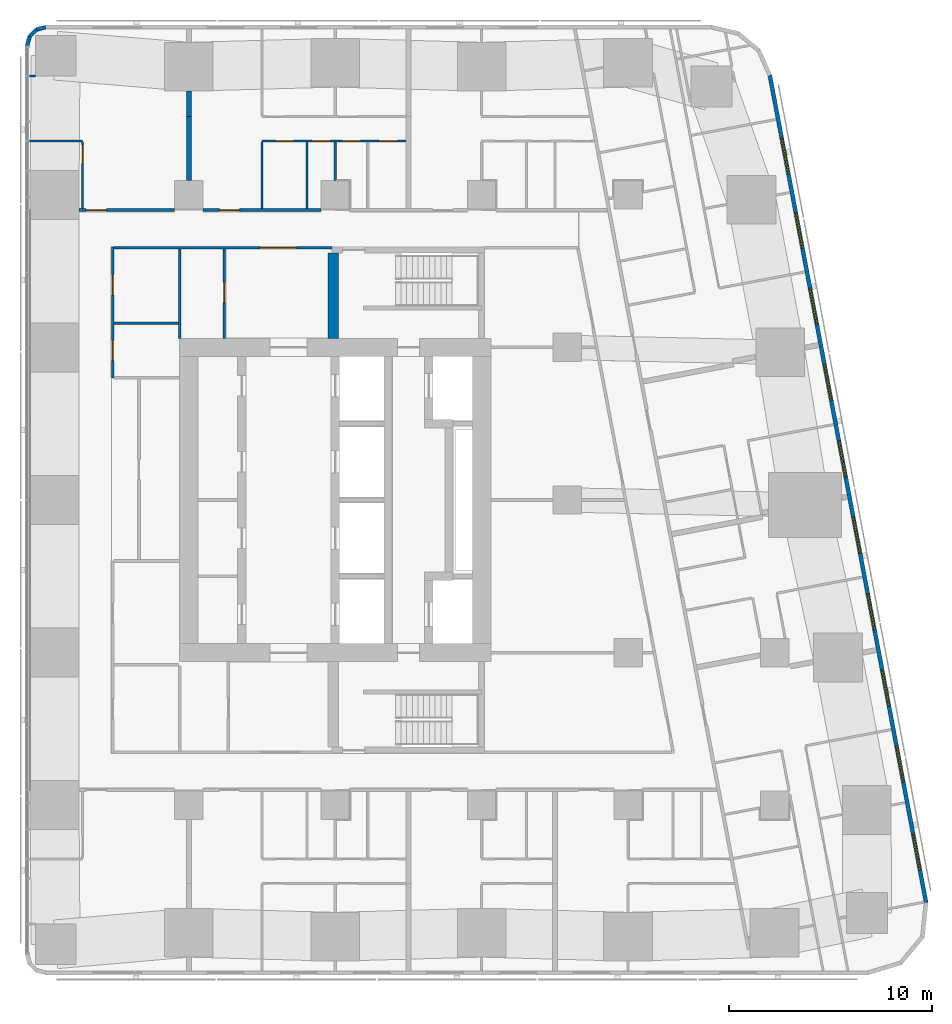
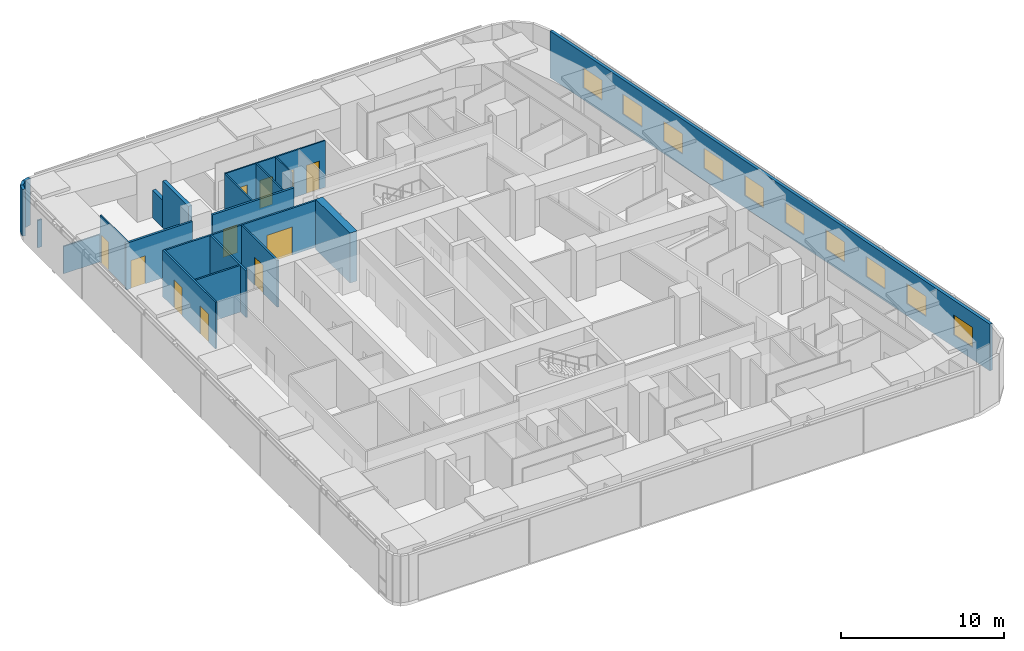
# One storey, part 15 of 19: 21 walls, 11 doors, 10 windows, 21 openings.
"""IFC4 building model written with IfcOpenShell, lengths in metres."""

from ifc_helpers import new_model, si_unit, direction, frame, frame_2d, origin, place, context, subcontext, project, spatial, rectangle, extrude, material, layer, layer_set, type_object, element, fill, save


model = new_model("IFC4")

# Units and contexts
model_context = context("Model", 3, precision=1e-05, world=origin(), true_north=direction((0.0, 1.0)))
body_context = subcontext(model_context, "Body", "Model", "MODEL_VIEW")
ifc_project = project(units=[si_unit("LENGTHUNIT", "METRE"), si_unit("AREAUNIT", "SQUARE_METRE"), si_unit("VOLUMEUNIT", "CUBIC_METRE"), si_unit("PLANEANGLEUNIT", "RADIAN"), si_unit("MASSUNIT", "GRAM", prefix="KILO")], contexts=[model_context])

# Site, building, storey
site_placement = place(None, origin())
site = spatial("IfcSite", under=ifc_project, at=site_placement, CompositionType="ELEMENT")
building_placement = place(site_placement, origin())
building = spatial("IfcBuilding", under=site, at=building_placement, Name="Sheger Commons Tower", CompositionType="ELEMENT")
storey_placement = place(building_placement, frame((0.0, 0.0, 219.949951171875)))
storey = spatial("IfcBuildingStorey", under=building, at=storey_placement, Name="L56", CompositionType="ELEMENT", Elevation=219.949951171875)

# Wall, opening, door
ifc_material_1 = material(Name="Hollow concrete block masonry, skimmed both sides", Category="masonry")
ifc_layer_1 = layer(ifc_material_1, 0.14990234375)
ifc_layer_set_1 = layer_set([ifc_layer_1], Name="CORRIDOR WALL 150")
wall_type_1 = type_object("IfcWallType", Name="CORRIDOR WALL 150", PredefinedType="SOLIDWALL", material=ifc_layer_set_1)
wall_1_placement = place(storey_placement, frame((9.0009765625, 36.75, 0.0), z_axis=(0.0, 0.0, 1.0), x_axis=(1.0, 0.0, 0.0)))
wall_1 = element("IfcWall", 1, at=wall_1_placement, inside=storey, type_object=wall_type_1, Name="Corridor wall L56", PredefinedType="SOLIDWALL", context=body_context, shape_type="SweptSolid", body=[
    extrude(rectangle(XDim=4.697998046875, YDim=0.14990234375, at=frame_2d((2.34912109375, 0.0))), origin(), (0.0, 0.0, 1.0), 3.5),
])
opening_1_placement = place(wall_1_placement, frame((0.35302734375, 0.0, 0.0)))
opening_1 = element("IfcOpeningElement", 2, at=opening_1_placement, cuts=wall_1, Name="Opening D1", PredefinedType="OPENING", context=body_context, shape_type="SweptSolid", body=[
    extrude(rectangle(XDim=1.0, YDim=2.10009765625, at=frame_2d((0.5, 1.050048828125))), frame((0.0, 0.0849609375, 0.0), z_axis=(0.0, -1.0, 0.0), x_axis=(1.0, 0.0, 0.0)), (0.0, 0.0, 1.0), 0.169921875),
])
ifc_material_2 = material(Name="Steel door set, fire rated", Category="steel")
door_type_1 = type_object("IfcDoorType", Name="FLAT ENTRANCE DOOR 1000x2100", OperationType="NOTDEFINED", PredefinedType="DOOR", material=ifc_material_2)
door_1_placement = place(opening_1_placement, origin())
door_1 = element("IfcDoor", 3, at=door_1_placement, inside=storey, type_object=door_type_1, Name="Flat entrance door", OperationType="SINGLE_SWING_LEFT", OverallHeight=2.10009765625, OverallWidth=1.0, PredefinedType="DOOR", context=body_context, shape_type="SweptSolid", body=[
    extrude(rectangle(XDim=1.0, YDim=2.10009765625, at=frame_2d((0.5, 1.050048828125))), frame((0.0, 0.02490234375, 0.0), z_axis=(0.0, -1.0, 0.0), x_axis=(1.0, 0.0, 0.0)), (0.0, 0.0, 1.0), 0.050048828125),
])
fill(opening_1, door_1)

wall_2_placement = place(storey_placement, frame((15.10107421875, 36.75, 0.0), z_axis=(0.0, 0.0, 1.0), x_axis=(1.0, 0.0, 0.0)))
wall_2 = element("IfcWall", 4, at=wall_2_placement, inside=storey, type_object=wall_type_1, Name="Corridor wall L56", PredefinedType="SOLIDWALL", context=body_context, shape_type="SweptSolid", body=[
    extrude(rectangle(XDim=5.7978515625, YDim=0.14990234375, at=frame_2d((2.89892578125, 0.0))), origin(), (0.0, 0.0, 1.0), 3.5),
])
opening_2_placement = place(wall_2_placement, frame((0.799072265625, 0.0, 0.0)))
opening_2 = element("IfcOpeningElement", 5, at=opening_2_placement, cuts=wall_2, Name="Opening D1", PredefinedType="OPENING", context=body_context, shape_type="SweptSolid", body=[
    extrude(rectangle(XDim=1.0, YDim=2.10009765625, at=frame_2d((0.5, 1.050048828125))), frame((0.0, 0.0849609375, 0.0), z_axis=(0.0, -1.0, 0.0), x_axis=(1.0, 0.0, 0.0)), (0.0, 0.0, 1.0), 0.169921875),
])
door_2_placement = place(opening_2_placement, origin())
door_2 = element("IfcDoor", 6, at=door_2_placement, inside=storey, type_object=door_type_1, Name="Flat entrance door", OperationType="SINGLE_SWING_LEFT", OverallHeight=2.10009765625, OverallWidth=1.0, PredefinedType="DOOR", context=body_context, shape_type="SweptSolid", body=[
    extrude(rectangle(XDim=1.0, YDim=2.10009765625, at=frame_2d((0.5, 1.050048828125))), frame((0.0, 0.02490234375, 0.0), z_axis=(0.0, -1.0, 0.0), x_axis=(1.0, 0.0, 0.0)), (0.0, 0.0, 1.0), 0.050048828125),
])
fill(opening_2, door_2)

# Walls
ifc_material_3 = material(Name="Dense concrete block masonry, plastered both sides (separating wall between flats)", Category="masonry")
ifc_layer_2 = layer(ifc_material_3, 0.25)
ifc_layer_set_2 = layer_set([ifc_layer_2], Name="DEMISING WALL 250")
wall_type_2 = type_object("IfcWallType", Name="DEMISING WALL 250", PredefinedType="SOLIDWALL", material=ifc_layer_set_2)
wall_3_placement = place(storey_placement, frame((14.39990234375, 41.35009765625, 0.0), z_axis=(0.0, 0.0, 1.0), x_axis=(0.0, 1.0, 0.0)))
element("IfcWall", 7, at=wall_3_placement, inside=storey, type_object=wall_type_2, Name="Demising wall L56", PredefinedType="SOLIDWALL", context=body_context, shape_type="SweptSolid", body=[
    extrude(rectangle(XDim=1.2490234375, YDim=0.25, at=frame_2d((0.62451171875, 0.0))), origin(), (0.0, 0.0, 1.0), 2.050048828125),
])
wall_4_placement = place(storey_placement, frame((14.39990234375, 38.200927734375, 0.0), z_axis=(0.0, 0.0, 1.0), x_axis=(0.0, 1.0, 0.0)))
element("IfcWall", 8, at=wall_4_placement, inside=storey, type_object=wall_type_2, Name="Demising wall L56", PredefinedType="SOLIDWALL", context=body_context, shape_type="SweptSolid", body=[
    extrude(rectangle(XDim=3.149169921875, YDim=0.25, at=frame_2d((1.57470703125, 0.0))), origin(), (0.0, 0.0, 1.0), 3.5),
])

# Wall, openings, windows
ifc_material_4 = material(Name="Rendered concrete block masonry, dark grey", Category="masonry")
ifc_layer_3 = layer(ifc_material_4, 0.199951171875)
ifc_layer_set_3 = layer_set([ifc_layer_3], Name="FACADE WALL 200")
wall_type_3 = type_object("IfcWallType", Name="FACADE WALL 200", PredefinedType="SOLIDWALL", material=ifc_layer_set_3)
wall_5_placement = place(storey_placement, frame((50.653076171875, 2.702880859375, 0.0), z_axis=(0.0, 0.0, 1.0), x_axis=(-0.185612026696, 0.982623109613, 0.0)))
wall_5 = element("IfcWall", 9, at=wall_5_placement, inside=storey, type_object=wall_type_3, Name="Facade wall L56", PredefinedType="SOLIDWALL", context=body_context, shape_type="SweptSolid", body=[
    extrude(rectangle(XDim=41.393310546875, YDim=0.199951171875, at=frame_2d((20.69677734375, 0.0))), origin(), (0.0, 0.0, 1.0), 3.5),
])
opening_3_placement = place(wall_5_placement, frame((1.633056640625, 0.0, 0.89990234375)))
opening_3 = element("IfcOpeningElement", 10, at=opening_3_placement, cuts=wall_5, Name="Opening W2", PredefinedType="OPENING", context=body_context, shape_type="SweptSolid", body=[
    extrude(rectangle(XDim=1.800048828125, YDim=1.5, at=frame_2d((0.89990234375, 0.75))), frame((0.0, 0.10986328125, 0.0), z_axis=(0.0, -1.0, 0.0), x_axis=(1.0, 0.0, 0.0)), (0.0, 0.0, 1.0), 0.219970703125),
])
opening_4_placement = place(wall_5_placement, frame((6.031982421875, 0.0, 0.89990234375)))
opening_4 = element("IfcOpeningElement", 11, at=opening_4_placement, cuts=wall_5, Name="Opening W2", PredefinedType="OPENING", context=body_context, shape_type="SweptSolid", body=[
    extrude(rectangle(XDim=1.800048828125, YDim=1.5, at=frame_2d((0.89990234375, 0.75))), frame((0.0, 0.10986328125, 0.0), z_axis=(0.0, -1.0, 0.0), x_axis=(1.0, 0.0, 0.0)), (0.0, 0.0, 1.0), 0.219970703125),
])
opening_5_placement = place(wall_5_placement, frame((9.847900390625, 0.0, 0.89990234375)))
opening_5 = element("IfcOpeningElement", 12, at=opening_5_placement, cuts=wall_5, Name="Opening W2", PredefinedType="OPENING", context=body_context, shape_type="SweptSolid", body=[
    extrude(rectangle(XDim=1.800048828125, YDim=1.5, at=frame_2d((0.89990234375, 0.75))), frame((0.0, 0.10986328125, 0.0), z_axis=(0.0, -1.0, 0.0), x_axis=(1.0, 0.0, 0.0)), (0.0, 0.0, 1.0), 0.219970703125),
])
opening_6_placement = place(wall_5_placement, frame((13.6640625, 0.0, 0.89990234375)))
opening_6 = element("IfcOpeningElement", 13, at=opening_6_placement, cuts=wall_5, Name="Opening W2", PredefinedType="OPENING", context=body_context, shape_type="SweptSolid", body=[
    extrude(rectangle(XDim=1.800048828125, YDim=1.5, at=frame_2d((0.89990234375, 0.75))), frame((0.0, 0.10986328125, 0.0), z_axis=(0.0, -1.0, 0.0), x_axis=(1.0, 0.0, 0.0)), (0.0, 0.0, 1.0), 0.219970703125),
])
opening_7_placement = place(wall_5_placement, frame((17.48095703125, 0.0, 0.89990234375)))
opening_7 = element("IfcOpeningElement", 14, at=opening_7_placement, cuts=wall_5, Name="Opening W2", PredefinedType="OPENING", context=body_context, shape_type="SweptSolid", body=[
    extrude(rectangle(XDim=1.800048828125, YDim=1.5, at=frame_2d((0.89990234375, 0.75))), frame((0.0, 0.10986328125, 0.0), z_axis=(0.0, -1.0, 0.0), x_axis=(1.0, 0.0, 0.0)), (0.0, 0.0, 1.0), 0.219970703125),
])
opening_8_placement = place(wall_5_placement, frame((21.297119140625, 0.0, 0.89990234375)))
opening_8 = element("IfcOpeningElement", 15, at=opening_8_placement, cuts=wall_5, Name="Opening W2", PredefinedType="OPENING", context=body_context, shape_type="SweptSolid", body=[
    extrude(rectangle(XDim=1.800048828125, YDim=1.5, at=frame_2d((0.89990234375, 0.75))), frame((0.0, 0.10986328125, 0.0), z_axis=(0.0, -1.0, 0.0), x_axis=(1.0, 0.0, 0.0)), (0.0, 0.0, 1.0), 0.219970703125),
])
opening_9_placement = place(wall_5_placement, frame((25.113037109375, 0.0, 0.89990234375)))
opening_9 = element("IfcOpeningElement", 16, at=opening_9_placement, cuts=wall_5, Name="Opening W2", PredefinedType="OPENING", context=body_context, shape_type="SweptSolid", body=[
    extrude(rectangle(XDim=1.800048828125, YDim=1.5, at=frame_2d((0.89990234375, 0.75))), frame((0.0, 0.10986328125, 0.0), z_axis=(0.0, -1.0, 0.0), x_axis=(1.0, 0.0, 0.0)), (0.0, 0.0, 1.0), 0.219970703125),
])
opening_10_placement = place(wall_5_placement, frame((28.929931640625, 0.0, 0.89990234375)))
opening_10 = element("IfcOpeningElement", 17, at=opening_10_placement, cuts=wall_5, Name="Opening W2", PredefinedType="OPENING", context=body_context, shape_type="SweptSolid", body=[
    extrude(rectangle(XDim=1.800048828125, YDim=1.5, at=frame_2d((0.89990234375, 0.75))), frame((0.0, 0.10986328125, 0.0), z_axis=(0.0, -1.0, 0.0), x_axis=(1.0, 0.0, 0.0)), (0.0, 0.0, 1.0), 0.219970703125),
])
opening_11_placement = place(wall_5_placement, frame((32.74609375, 0.0, 0.89990234375)))
opening_11 = element("IfcOpeningElement", 18, at=opening_11_placement, cuts=wall_5, Name="Opening W2", PredefinedType="OPENING", context=body_context, shape_type="SweptSolid", body=[
    extrude(rectangle(XDim=1.800048828125, YDim=1.5, at=frame_2d((0.89990234375, 0.75))), frame((0.0, 0.10986328125, 0.0), z_axis=(0.0, -1.0, 0.0), x_axis=(1.0, 0.0, 0.0)), (0.0, 0.0, 1.0), 0.219970703125),
])
opening_12_placement = place(wall_5_placement, frame((36.48095703125, 0.0, 0.89990234375)))
opening_12 = element("IfcOpeningElement", 19, at=opening_12_placement, cuts=wall_5, Name="Opening W2", PredefinedType="OPENING", context=body_context, shape_type="SweptSolid", body=[
    extrude(rectangle(XDim=1.800048828125, YDim=1.5, at=frame_2d((0.89990234375, 0.75))), frame((0.0, 0.10986328125, 0.0), z_axis=(0.0, -1.0, 0.0), x_axis=(1.0, 0.0, 0.0)), (0.0, 0.0, 1.0), 0.219970703125),
])
ifc_material_5 = material(Name="Black aluminium frame, dark tinted double glazing", Category="aluminium")
window_type = type_object("IfcWindowType", Name="WINDOW W2 1800x1500", PartitioningType="SINGLE_PANEL", PredefinedType="WINDOW", material=ifc_material_5)
window_1_placement = place(opening_3_placement, origin())
window_1 = element("IfcWindow", 20, at=window_1_placement, inside=storey, type_object=window_type, Name="Window W2 1800X1500", OverallHeight=1.5, OverallWidth=1.800048828125, PartitioningType="SINGLE_PANEL", PredefinedType="WINDOW", context=body_context, shape_type="SweptSolid", body=[
    extrude(rectangle(XDim=1.800048828125, YDim=1.5, at=frame_2d((0.89990234375, 0.75))), frame((0.0, 0.030029296875, 0.0), z_axis=(0.0, -1.0, 0.0), x_axis=(1.0, 0.0, 0.0)), (0.0, 0.0, 1.0), 0.06005859375),
])
fill(opening_3, window_1)
window_2_placement = place(opening_4_placement, origin())
window_2 = element("IfcWindow", 21, at=window_2_placement, inside=storey, type_object=window_type, Name="Window W2 1800X1500", OverallHeight=1.5, OverallWidth=1.800048828125, PartitioningType="SINGLE_PANEL", PredefinedType="WINDOW", context=body_context, shape_type="SweptSolid", body=[
    extrude(rectangle(XDim=1.800048828125, YDim=1.5, at=frame_2d((0.89990234375, 0.75))), frame((0.0, 0.030029296875, 0.0), z_axis=(0.0, -1.0, 0.0), x_axis=(1.0, 0.0, 0.0)), (0.0, 0.0, 1.0), 0.06005859375),
])
fill(opening_4, window_2)
window_3_placement = place(opening_5_placement, origin())
window_3 = element("IfcWindow", 22, at=window_3_placement, inside=storey, type_object=window_type, Name="Window W2 1800X1500", OverallHeight=1.5, OverallWidth=1.800048828125, PartitioningType="SINGLE_PANEL", PredefinedType="WINDOW", context=body_context, shape_type="SweptSolid", body=[
    extrude(rectangle(XDim=1.800048828125, YDim=1.5, at=frame_2d((0.89990234375, 0.75))), frame((0.0, 0.030029296875, 0.0), z_axis=(0.0, -1.0, 0.0), x_axis=(1.0, 0.0, 0.0)), (0.0, 0.0, 1.0), 0.06005859375),
])
fill(opening_5, window_3)
window_4_placement = place(opening_6_placement, origin())
window_4 = element("IfcWindow", 23, at=window_4_placement, inside=storey, type_object=window_type, Name="Window W2 1800X1500", OverallHeight=1.5, OverallWidth=1.800048828125, PartitioningType="SINGLE_PANEL", PredefinedType="WINDOW", context=body_context, shape_type="SweptSolid", body=[
    extrude(rectangle(XDim=1.800048828125, YDim=1.5, at=frame_2d((0.89990234375, 0.75))), frame((0.0, 0.030029296875, 0.0), z_axis=(0.0, -1.0, 0.0), x_axis=(1.0, 0.0, 0.0)), (0.0, 0.0, 1.0), 0.06005859375),
])
fill(opening_6, window_4)
window_5_placement = place(opening_7_placement, origin())
window_5 = element("IfcWindow", 24, at=window_5_placement, inside=storey, type_object=window_type, Name="Window W2 1800X1500", OverallHeight=1.5, OverallWidth=1.800048828125, PartitioningType="SINGLE_PANEL", PredefinedType="WINDOW", context=body_context, shape_type="SweptSolid", body=[
    extrude(rectangle(XDim=1.800048828125, YDim=1.5, at=frame_2d((0.89990234375, 0.75))), frame((0.0, 0.030029296875, 0.0), z_axis=(0.0, -1.0, 0.0), x_axis=(1.0, 0.0, 0.0)), (0.0, 0.0, 1.0), 0.06005859375),
])
fill(opening_7, window_5)
window_6_placement = place(opening_8_placement, origin())
window_6 = element("IfcWindow", 25, at=window_6_placement, inside=storey, type_object=window_type, Name="Window W2 1800X1500", OverallHeight=1.5, OverallWidth=1.800048828125, PartitioningType="SINGLE_PANEL", PredefinedType="WINDOW", context=body_context, shape_type="SweptSolid", body=[
    extrude(rectangle(XDim=1.800048828125, YDim=1.5, at=frame_2d((0.89990234375, 0.75))), frame((0.0, 0.030029296875, 0.0), z_axis=(0.0, -1.0, 0.0), x_axis=(1.0, 0.0, 0.0)), (0.0, 0.0, 1.0), 0.06005859375),
])
fill(opening_8, window_6)
window_7_placement = place(opening_9_placement, origin())
window_7 = element("IfcWindow", 26, at=window_7_placement, inside=storey, type_object=window_type, Name="Window W2 1800X1500", OverallHeight=1.5, OverallWidth=1.800048828125, PartitioningType="SINGLE_PANEL", PredefinedType="WINDOW", context=body_context, shape_type="SweptSolid", body=[
    extrude(rectangle(XDim=1.800048828125, YDim=1.5, at=frame_2d((0.89990234375, 0.75))), frame((0.0, 0.030029296875, 0.0), z_axis=(0.0, -1.0, 0.0), x_axis=(1.0, 0.0, 0.0)), (0.0, 0.0, 1.0), 0.06005859375),
])
fill(opening_9, window_7)
window_8_placement = place(opening_10_placement, origin())
window_8 = element("IfcWindow", 27, at=window_8_placement, inside=storey, type_object=window_type, Name="Window W2 1800X1500", OverallHeight=1.5, OverallWidth=1.800048828125, PartitioningType="SINGLE_PANEL", PredefinedType="WINDOW", context=body_context, shape_type="SweptSolid", body=[
    extrude(rectangle(XDim=1.800048828125, YDim=1.5, at=frame_2d((0.89990234375, 0.75))), frame((0.0, 0.030029296875, 0.0), z_axis=(0.0, -1.0, 0.0), x_axis=(1.0, 0.0, 0.0)), (0.0, 0.0, 1.0), 0.06005859375),
])
fill(opening_10, window_8)
window_9_placement = place(opening_11_placement, origin())
window_9 = element("IfcWindow", 28, at=window_9_placement, inside=storey, type_object=window_type, Name="Window W2 1800X1500", OverallHeight=1.5, OverallWidth=1.800048828125, PartitioningType="SINGLE_PANEL", PredefinedType="WINDOW", context=body_context, shape_type="SweptSolid", body=[
    extrude(rectangle(XDim=1.800048828125, YDim=1.5, at=frame_2d((0.89990234375, 0.75))), frame((0.0, 0.030029296875, 0.0), z_axis=(0.0, -1.0, 0.0), x_axis=(1.0, 0.0, 0.0)), (0.0, 0.0, 1.0), 0.06005859375),
])
fill(opening_11, window_9)
window_10_placement = place(opening_12_placement, origin())
window_10 = element("IfcWindow", 29, at=window_10_placement, inside=storey, type_object=window_type, Name="Window W2 1800X1500", OverallHeight=1.5, OverallWidth=1.800048828125, PartitioningType="SINGLE_PANEL", PredefinedType="WINDOW", context=body_context, shape_type="SweptSolid", body=[
    extrude(rectangle(XDim=1.800048828125, YDim=1.5, at=frame_2d((0.89990234375, 0.75))), frame((0.0, 0.030029296875, 0.0), z_axis=(0.0, -1.0, 0.0), x_axis=(1.0, 0.0, 0.0)), (0.0, 0.0, 1.0), 0.06005859375),
])
fill(opening_12, window_10)

# Walls
wall_6_placement = place(storey_placement, frame((7.363037109375, 45.75, 0.0), z_axis=(0.0, 0.0, 1.0), x_axis=(-0.965655254015, -0.259826731483, 0.0)))
element("IfcWall", 30, at=wall_6_placement, inside=storey, type_object=wall_type_3, Name="Facade wall L56", PredefinedType="SOLIDWALL", context=body_context, shape_type="SweptSolid", body=[
    extrude(rectangle(XDim=0.477294921875, YDim=0.199951171875, at=frame_2d((0.23876953125, 0.0))), origin(), (0.0, 0.0, 1.0), 3.5),
])
wall_7_placement = place(storey_placement, frame((6.902099609375, 45.6259765625, 0.0), z_axis=(0.0, 0.0, 1.0), x_axis=(-0.707369890659, -0.706843573776, 0.0)))
element("IfcWall", 31, at=wall_7_placement, inside=storey, type_object=wall_type_3, Name="Facade wall L56", PredefinedType="SOLIDWALL", context=body_context, shape_type="SweptSolid", body=[
    extrude(rectangle(XDim=0.4638671875, YDim=0.199951171875, at=frame_2d((0.23193359375, 0.0))), origin(), (0.0, 0.0, 1.0), 3.5),
])
wall_8_placement = place(storey_placement, frame((6.573974609375, 45.298095703125, 0.0), z_axis=(0.0, 0.0, 1.0), x_axis=(-0.259698463175, -0.965689757751, 0.0)))
element("IfcWall", 32, at=wall_8_placement, inside=storey, type_object=wall_type_3, Name="Facade wall L56", PredefinedType="SOLIDWALL", context=body_context, shape_type="SweptSolid", body=[
    extrude(rectangle(XDim=0.4775390625, YDim=0.199951171875, at=frame_2d((0.23876953125, 0.0))), origin(), (0.0, 0.0, 1.0), 3.5),
])
ifc_material_6 = material(Name="Gypsum board on steel studs", Category="steel")
ifc_layer_4 = layer(ifc_material_6, 0.10009765625)
ifc_layer_set_4 = layer_set([ifc_layer_4], Name="PARTITION 100")
wall_type_4 = type_object("IfcWallType", Name="PARTITION 100", PredefinedType="PARTITIONING", material=ifc_layer_set_4)
wall_9_placement = place(storey_placement, frame((6.85400390625, 43.345947265625, 0.0), z_axis=(0.0, 0.0, 1.0), x_axis=(-1.0, 0.0, 0.0)))
element("IfcWall", 33, at=wall_9_placement, inside=storey, type_object=wall_type_4, Name="Partition L56", PredefinedType="PARTITIONING", context=body_context, shape_type="SweptSolid", body=[
    extrude(rectangle(XDim=0.303955078125, YDim=0.10009765625, at=frame_2d((0.15185546875, 0.0))), origin(), (0.0, 0.0, 1.0), 2.050048828125),
])
wall_10_placement = place(storey_placement, frame((6.550048828125, 40.14990234375, 0.0), z_axis=(0.0, 0.0, 1.0), x_axis=(1.0, 0.0, 0.0)))
element("IfcWall", 34, at=wall_10_placement, inside=storey, type_object=wall_type_4, Name="Partition L56", PredefinedType="PARTITIONING", context=body_context, shape_type="SweptSolid", body=[
    extrude(rectangle(XDim=2.62890625, YDim=0.10009765625, at=frame_2d((1.314453125, 0.0))), origin(), (0.0, 0.0, 1.0), 2.050048828125),
])

# Wall, opening, door
wall_11_placement = place(storey_placement, frame((9.178955078125, 36.824951171875, 0.0), z_axis=(0.0, 0.0, 1.0), x_axis=(0.0, 1.0, 0.0)))
wall_11 = element("IfcWall", 35, at=wall_11_placement, inside=storey, type_object=wall_type_4, Name="Partition L56", PredefinedType="PARTITIONING", context=body_context, shape_type="SweptSolid", body=[
    extrude(rectangle(XDim=3.275146484375, YDim=0.10009765625, at=frame_2d((1.6376953125, 0.0))), origin(), (0.0, 0.0, 1.0), 3.5),
])
opening_13_placement = place(wall_11_placement, frame((2.22509765625, 0.0, 0.0)))
opening_13 = element("IfcOpeningElement", 36, at=opening_13_placement, cuts=wall_11, Name="Opening D2", PredefinedType="OPENING", context=body_context, shape_type="SweptSolid", body=[
    extrude(rectangle(XDim=0.89990234375, YDim=2.10009765625, at=frame_2d((0.449951171875, 1.050048828125))), frame((0.0, 0.06005859375, 0.0), z_axis=(0.0, -1.0, 0.0), x_axis=(1.0, 0.0, 0.0)), (0.0, 0.0, 1.0), 0.1201171875),
])
ifc_material_7 = material(Name="Timber door set", Category="wood")
door_type_2 = type_object("IfcDoorType", Name="INTERNAL DOOR 900x2100", OperationType="NOTDEFINED", PredefinedType="DOOR", material=ifc_material_7)
door_3_placement = place(opening_13_placement, origin())
door_3 = element("IfcDoor", 37, at=door_3_placement, inside=storey, type_object=door_type_2, Name="Shower room door", OperationType="SINGLE_SWING_RIGHT", OverallHeight=2.10009765625, OverallWidth=0.89990234375, PredefinedType="DOOR", context=body_context, shape_type="SweptSolid", body=[
    extrude(rectangle(XDim=0.89990234375, YDim=2.10009765625, at=frame_2d((0.449951171875, 1.050048828125))), frame((0.0, 0.02490234375, 0.0), z_axis=(0.0, -1.0, 0.0), x_axis=(1.0, 0.0, 0.0)), (0.0, 0.0, 1.0), 0.050048828125),
])
fill(opening_13, door_3)

# Wall, openings, doors
wall_12_placement = place(storey_placement, frame((18.0, 40.14990234375, 0.0), z_axis=(0.0, 0.0, 1.0), x_axis=(1.0, 0.0, 0.0)))
wall_12 = element("IfcWall", 38, at=wall_12_placement, inside=storey, type_object=wall_type_4, Name="Partition L56", PredefinedType="PARTITIONING", context=body_context, shape_type="SweptSolid", body=[
    extrude(rectangle(XDim=7.074951171875, YDim=0.10009765625, at=frame_2d((3.53759765625, 0.0))), origin(), (0.0, 0.0, 1.0), 3.5),
])
opening_14_placement = place(wall_12_placement, frame((0.655029296875, 0.0, 0.0)))
opening_14 = element("IfcOpeningElement", 39, at=opening_14_placement, cuts=wall_12, Name="Opening D2", PredefinedType="OPENING", context=body_context, shape_type="SweptSolid", body=[
    extrude(rectangle(XDim=0.89990234375, YDim=2.10009765625, at=frame_2d((0.449951171875, 1.050048828125))), frame((0.0, 0.06005859375, 0.0), z_axis=(0.0, -1.0, 0.0), x_axis=(1.0, 0.0, 0.0)), (0.0, 0.0, 1.0), 0.1201171875),
])
opening_15_placement = place(wall_12_placement, frame((3.949951171875, 0.0, 0.0)))
opening_15 = element("IfcOpeningElement", 40, at=opening_15_placement, cuts=wall_12, Name="Opening D2", PredefinedType="OPENING", context=body_context, shape_type="SweptSolid", body=[
    extrude(rectangle(XDim=0.89990234375, YDim=2.10009765625, at=frame_2d((0.449951171875, 1.050048828125))), frame((0.0, 0.06005859375, 0.0), z_axis=(0.0, -1.0, 0.0), x_axis=(1.0, 0.0, 0.0)), (0.0, 0.0, 1.0), 0.1201171875),
])
opening_16_placement = place(wall_12_placement, frame((2.455078125, 0.0, 0.0)))
opening_16 = element("IfcOpeningElement", 41, at=opening_16_placement, cuts=wall_12, Name="Opening D2", PredefinedType="OPENING", context=body_context, shape_type="SweptSolid", body=[
    extrude(rectangle(XDim=0.89990234375, YDim=2.10009765625, at=frame_2d((0.449951171875, 1.050048828125))), frame((0.0, 0.06005859375, 0.0), z_axis=(0.0, -1.0, 0.0), x_axis=(1.0, 0.0, 0.0)), (0.0, 0.0, 1.0), 0.1201171875),
])
opening_17_placement = place(wall_12_placement, frame((5.75, 0.0, 0.0)))
opening_17 = element("IfcOpeningElement", 42, at=opening_17_placement, cuts=wall_12, Name="Opening D2", PredefinedType="OPENING", context=body_context, shape_type="SweptSolid", body=[
    extrude(rectangle(XDim=0.89990234375, YDim=2.10009765625, at=frame_2d((0.449951171875, 1.050048828125))), frame((0.0, 0.06005859375, 0.0), z_axis=(0.0, -1.0, 0.0), x_axis=(1.0, 0.0, 0.0)), (0.0, 0.0, 1.0), 0.1201171875),
])
door_4_placement = place(opening_14_placement, origin())
door_4 = element("IfcDoor", 43, at=door_4_placement, inside=storey, type_object=door_type_2, Name="Bathroom door", OperationType="SINGLE_SWING_RIGHT", OverallHeight=2.10009765625, OverallWidth=0.89990234375, PredefinedType="DOOR", context=body_context, shape_type="SweptSolid", body=[
    extrude(rectangle(XDim=0.89990234375, YDim=2.10009765625, at=frame_2d((0.449951171875, 1.050048828125))), frame((0.0, 0.02490234375, 0.0), z_axis=(0.0, -1.0, 0.0), x_axis=(1.0, 0.0, 0.0)), (0.0, 0.0, 1.0), 0.050048828125),
])
fill(opening_14, door_4)
door_5_placement = place(opening_15_placement, origin())
door_5 = element("IfcDoor", 44, at=door_5_placement, inside=storey, type_object=door_type_2, Name="Shower room door", OperationType="SINGLE_SWING_RIGHT", OverallHeight=2.10009765625, OverallWidth=0.89990234375, PredefinedType="DOOR", context=body_context, shape_type="SweptSolid", body=[
    extrude(rectangle(XDim=0.89990234375, YDim=2.10009765625, at=frame_2d((0.449951171875, 1.050048828125))), frame((0.0, 0.02490234375, 0.0), z_axis=(0.0, -1.0, 0.0), x_axis=(1.0, 0.0, 0.0)), (0.0, 0.0, 1.0), 0.050048828125),
])
fill(opening_15, door_5)
door_6_placement = place(opening_16_placement, origin())
door_6 = element("IfcDoor", 45, at=door_6_placement, inside=storey, type_object=door_type_2, Name="Store door", OperationType="SINGLE_SWING_RIGHT", OverallHeight=2.10009765625, OverallWidth=0.89990234375, PredefinedType="DOOR", context=body_context, shape_type="SweptSolid", body=[
    extrude(rectangle(XDim=0.89990234375, YDim=2.10009765625, at=frame_2d((0.449951171875, 1.050048828125))), frame((0.0, 0.02490234375, 0.0), z_axis=(0.0, -1.0, 0.0), x_axis=(1.0, 0.0, 0.0)), (0.0, 0.0, 1.0), 0.050048828125),
])
fill(opening_16, door_6)
door_7_placement = place(opening_17_placement, origin())
door_7 = element("IfcDoor", 46, at=door_7_placement, inside=storey, type_object=door_type_2, Name="Store door", OperationType="SINGLE_SWING_LEFT", OverallHeight=2.10009765625, OverallWidth=0.89990234375, PredefinedType="DOOR", context=body_context, shape_type="SweptSolid", body=[
    extrude(rectangle(XDim=0.89990234375, YDim=2.10009765625, at=frame_2d((0.449951171875, 1.050048828125))), frame((0.0, 0.02490234375, 0.0), z_axis=(0.0, -1.0, 0.0), x_axis=(1.0, 0.0, 0.0)), (0.0, 0.0, 1.0), 0.050048828125),
])
fill(opening_17, door_7)

# Walls
wall_13_placement = place(storey_placement, frame((18.0, 36.824951171875, 0.0), z_axis=(0.0, 0.0, 1.0), x_axis=(0.0, 1.0, 0.0)))
element("IfcWall", 47, at=wall_13_placement, inside=storey, type_object=wall_type_4, Name="Partition L56", PredefinedType="PARTITIONING", context=body_context, shape_type="SweptSolid", body=[
    extrude(rectangle(XDim=3.275146484375, YDim=0.10009765625, at=frame_2d((1.6376953125, 0.0))), origin(), (0.0, 0.0, 1.0), 3.5),
])
wall_14_placement = place(storey_placement, frame((21.60009765625, 38.200927734375, 0.0), z_axis=(0.0, 0.0, 1.0), x_axis=(0.0, 1.0, 0.0)))
element("IfcWall", 48, at=wall_14_placement, inside=storey, type_object=wall_type_4, Name="Partition L56", PredefinedType="PARTITIONING", context=body_context, shape_type="SweptSolid", body=[
    extrude(rectangle(XDim=1.899169921875, YDim=0.10009765625, at=frame_2d((0.94970703125, 0.0))), origin(), (0.0, 0.0, 1.0), 3.5),
])
wall_15_placement = place(storey_placement, frame((20.2099609375, 36.824951171875, 0.0), z_axis=(0.0, 0.0, 1.0), x_axis=(0.0, 1.0, 0.0)))
element("IfcWall", 49, at=wall_15_placement, inside=storey, type_object=wall_type_4, Name="Partition L56", PredefinedType="PARTITIONING", context=body_context, shape_type="SweptSolid", body=[
    extrude(rectangle(XDim=3.275146484375, YDim=0.10009765625, at=frame_2d((1.6376953125, 0.0))), origin(), (0.0, 0.0, 1.0), 3.5),
])

# Wall, openings, doors
ifc_material_8 = material(Name="Gypsum board on steel studs, two layers each side, fire rated", Category="steel")
ifc_layer_5 = layer(ifc_material_8, 0.125)
ifc_layer_set_5 = layer_set([ifc_layer_5], Name="SERVICE WALL 125")
wall_type_5 = type_object("IfcWallType", Name="SERVICE WALL 125", PredefinedType="PARTITIONING", material=ifc_layer_set_5)
wall_16_placement = place(storey_placement, frame((10.64990234375, 28.5, 0.0), z_axis=(0.0, 0.0, 1.0), x_axis=(0.0, 1.0, 0.0)))
wall_16 = element("IfcWall", 50, at=wall_16_placement, inside=storey, type_object=wall_type_5, Name="Service room wall L56", PredefinedType="PARTITIONING", context=body_context, shape_type="SweptSolid", body=[
    extrude(rectangle(XDim=6.449951171875, YDim=0.125, at=frame_2d((3.22509765625, 0.0))), origin(), (0.0, 0.0, 1.0), 3.5),
])
opening_18_placement = place(wall_16_placement, frame((0.85009765625, 0.0, 0.0)))
opening_18 = element("IfcOpeningElement", 51, at=opening_18_placement, cuts=wall_16, Name="Opening D4", PredefinedType="OPENING", context=body_context, shape_type="SweptSolid", body=[
    extrude(rectangle(XDim=1.0, YDim=2.10009765625, at=frame_2d((0.5, 1.050048828125))), frame((0.0, 0.072509765625, 0.0), z_axis=(0.0, -1.0, 0.0), x_axis=(1.0, 0.0, 0.0)), (0.0, 0.0, 1.0), 0.14501953125),
])
opening_19_placement = place(wall_16_placement, frame((4.074951171875, 0.0, 0.0)))
opening_19 = element("IfcOpeningElement", 52, at=opening_19_placement, cuts=wall_16, Name="Opening D4", PredefinedType="OPENING", context=body_context, shape_type="SweptSolid", body=[
    extrude(rectangle(XDim=1.0, YDim=2.10009765625, at=frame_2d((0.5, 1.050048828125))), frame((0.0, 0.072509765625, 0.0), z_axis=(0.0, -1.0, 0.0), x_axis=(1.0, 0.0, 0.0)), (0.0, 0.0, 1.0), 0.14501953125),
])
ifc_material_9 = material(Name="Steel door set, fire rated", Category="steel")
door_type_3 = type_object("IfcDoorType", Name="SERVICE DOOR 1000x2100", OperationType="NOTDEFINED", PredefinedType="DOOR", material=ifc_material_9)
door_8_placement = place(opening_18_placement, origin())
door_8 = element("IfcDoor", 53, at=door_8_placement, inside=storey, type_object=door_type_3, Name="Cleaner's store door", OperationType="SINGLE_SWING_RIGHT", OverallHeight=2.10009765625, OverallWidth=1.0, PredefinedType="DOOR", context=body_context, shape_type="SweptSolid", body=[
    extrude(rectangle(XDim=1.0, YDim=2.10009765625, at=frame_2d((0.5, 1.050048828125))), frame((0.0, 0.02490234375, 0.0), z_axis=(0.0, -1.0, 0.0), x_axis=(1.0, 0.0, 0.0)), (0.0, 0.0, 1.0), 0.050048828125),
])
fill(opening_18, door_8)
door_9_placement = place(opening_19_placement, origin())
door_9 = element("IfcDoor", 54, at=door_9_placement, inside=storey, type_object=door_type_3, Name="Linen store door", OperationType="SINGLE_SWING_LEFT", OverallHeight=2.10009765625, OverallWidth=1.0, PredefinedType="DOOR", context=body_context, shape_type="SweptSolid", body=[
    extrude(rectangle(XDim=1.0, YDim=2.10009765625, at=frame_2d((0.5, 1.050048828125))), frame((0.0, 0.02490234375, 0.0), z_axis=(0.0, -1.0, 0.0), x_axis=(1.0, 0.0, 0.0)), (0.0, 0.0, 1.0), 0.050048828125),
])
fill(opening_19, door_9)

# Walls
wall_17_placement = place(storey_placement, frame((10.712890625, 31.199951171875, 0.0), z_axis=(0.0, 0.0, 1.0), x_axis=(1.0, 0.0, 0.0)))
element("IfcWall", 55, at=wall_17_placement, inside=storey, type_object=wall_type_5, Name="Service room wall L56", PredefinedType="PARTITIONING", context=body_context, shape_type="SweptSolid", body=[
    extrude(rectangle(XDim=3.175048828125, YDim=0.125, at=frame_2d((1.58740234375, 0.0))), origin(), (0.0, 0.0, 1.0), 3.5),
])
wall_18_placement = place(storey_placement, frame((13.949951171875, 30.449951171875, 0.0), z_axis=(0.0, 0.0, 1.0), x_axis=(0.0, 1.0, 0.0)))
element("IfcWall", 56, at=wall_18_placement, inside=storey, type_object=wall_type_5, Name="Service room wall L56", PredefinedType="PARTITIONING", context=body_context, shape_type="SweptSolid", body=[
    extrude(rectangle(XDim=4.386962890625, YDim=0.125, at=frame_2d((2.193359375, 0.0))), origin(), (0.0, 0.0, 1.0), 3.5),
])

# Wall, opening, door
wall_19_placement = place(storey_placement, frame((10.712890625, 34.89990234375, 0.0), z_axis=(0.0, 0.0, 1.0), x_axis=(1.0, 0.0, 0.0)))
wall_19 = element("IfcWall", 57, at=wall_19_placement, inside=storey, type_object=wall_type_5, Name="Service room wall L56", PredefinedType="PARTITIONING", context=body_context, shape_type="SweptSolid", body=[
    extrude(rectangle(XDim=10.737060546875, YDim=0.125, at=frame_2d((5.36865234375, 0.0))), origin(), (0.0, 0.0, 1.0), 3.5),
])
opening_20_placement = place(wall_19_placement, frame((7.18701171875, 0.0, 0.0)))
opening_20 = element("IfcOpeningElement", 58, at=opening_20_placement, cuts=wall_19, Name="Opening D6", PredefinedType="OPENING", context=body_context, shape_type="SweptSolid", body=[
    extrude(rectangle(XDim=1.800048828125, YDim=2.10009765625, at=frame_2d((0.89990234375, 1.050048828125))), frame((0.0, 0.072509765625, 0.0), z_axis=(0.0, -1.0, 0.0), x_axis=(1.0, 0.0, 0.0)), (0.0, 0.0, 1.0), 0.14501953125),
])
ifc_material_10 = material(Name="Steel door set, fire rated", Category="steel")
door_type_4 = type_object("IfcDoorType", Name="LOBBY DOUBLE DOOR 1800x2100", OperationType="DOUBLE_DOOR_SINGLE_SWING", PredefinedType="DOOR", material=ifc_material_10)
door_10_placement = place(opening_20_placement, origin())
door_10 = element("IfcDoor", 59, at=door_10_placement, inside=storey, type_object=door_type_4, Name="Lift lobby north door", OperationType="DOUBLE_DOOR_SINGLE_SWING", OverallHeight=2.10009765625, OverallWidth=1.800048828125, PredefinedType="DOOR", context=body_context, shape_type="SweptSolid", body=[
    extrude(rectangle(XDim=1.800048828125, YDim=2.10009765625, at=frame_2d((0.89990234375, 1.050048828125))), frame((0.0, 0.02490234375, 0.0), z_axis=(0.0, -1.0, 0.0), x_axis=(1.0, 0.0, 0.0)), (0.0, 0.0, 1.0), 0.050048828125),
])
fill(opening_20, door_10)

wall_20_placement = place(storey_placement, frame((16.14990234375, 30.449951171875, 0.0), z_axis=(0.0, 0.0, 1.0), x_axis=(0.0, 1.0, 0.0)))
wall_20 = element("IfcWall", 60, at=wall_20_placement, inside=storey, type_object=wall_type_5, Name="Service room wall L56", PredefinedType="PARTITIONING", context=body_context, shape_type="SweptSolid", body=[
    extrude(rectangle(XDim=4.386962890625, YDim=0.125, at=frame_2d((2.193359375, 0.0))), origin(), (0.0, 0.0, 1.0), 3.5),
])
opening_21_placement = place(wall_20_placement, frame((1.75, 0.0, 0.0)))
opening_21 = element("IfcOpeningElement", 61, at=opening_21_placement, cuts=wall_20, Name="Opening D4", PredefinedType="OPENING", context=body_context, shape_type="SweptSolid", body=[
    extrude(rectangle(XDim=1.0, YDim=2.10009765625, at=frame_2d((0.5, 1.050048828125))), frame((0.0, 0.072509765625, 0.0), z_axis=(0.0, -1.0, 0.0), x_axis=(1.0, 0.0, 0.0)), (0.0, 0.0, 1.0), 0.14501953125),
])
door_11_placement = place(opening_21_placement, origin())
door_11 = element("IfcDoor", 62, at=door_11_placement, inside=storey, type_object=door_type_3, Name="Telecom room door", OperationType="SINGLE_SWING_RIGHT", OverallHeight=2.10009765625, OverallWidth=1.0, PredefinedType="DOOR", context=body_context, shape_type="SweptSolid", body=[
    extrude(rectangle(XDim=1.0, YDim=2.10009765625, at=frame_2d((0.5, 1.050048828125))), frame((0.0, 0.02490234375, 0.0), z_axis=(0.0, -1.0, 0.0), x_axis=(1.0, 0.0, 0.0)), (0.0, 0.0, 1.0), 0.050048828125),
])
fill(opening_21, door_11)

# Wall
ifc_material_11 = material(Name="Concrete C50/60", Category="concrete")
ifc_layer_6 = layer(ifc_material_11, 0.5)
ifc_layer_set_6 = layer_set([ifc_layer_6], Name="STAIR CORE WALL 500")
wall_type_6 = type_object("IfcWallType", Name="STAIR CORE WALL 500", PredefinedType="SHEAR", material=ifc_layer_set_6)
wall_21_placement = place(storey_placement, frame((21.5, 30.449951171875, 0.0), z_axis=(0.0, 0.0, 1.0), x_axis=(0.0, 1.0, 0.0)))
element("IfcWall", 63, at=wall_21_placement, inside=storey, type_object=wall_type_6, Name="STW-L56-S2W", PredefinedType="SHEAR", context=body_context, shape_type="SweptSolid", body=[
    extrude(rectangle(XDim=4.199951171875, YDim=0.5, at=frame_2d((2.10009765625, 0.0))), origin(), (0.0, 0.0, 1.0), 3.75),
])

save(model, "model.ifc")
